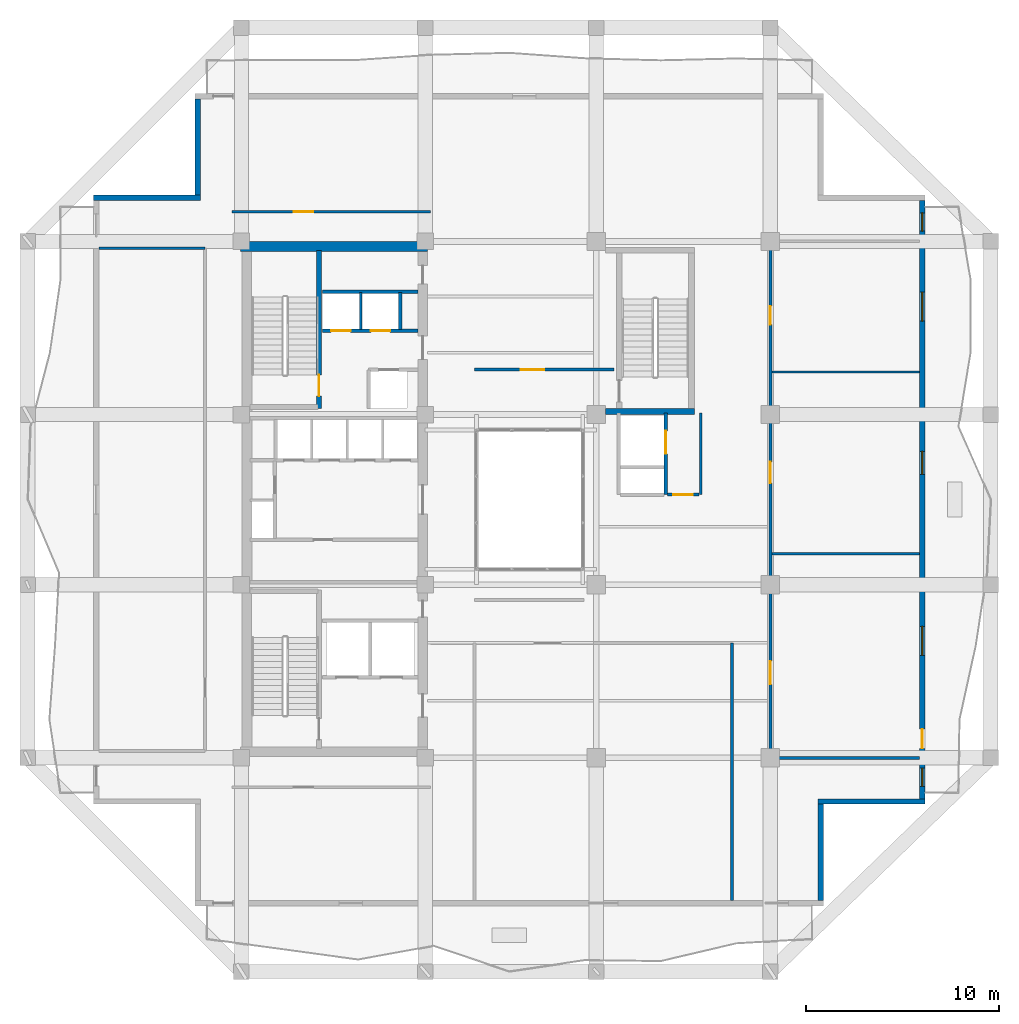
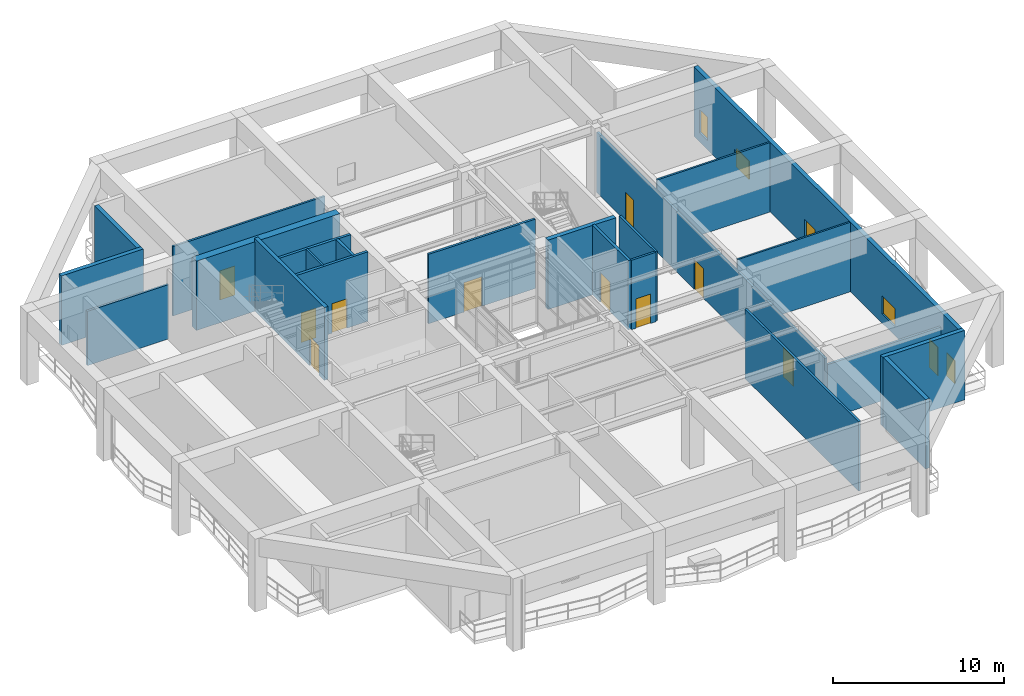
# One storey, part 7 of 13: 23 walls, 11 doors, 5 windows, 16 openings.
"""IFC4 building model written with IfcOpenShell, lengths in metres."""

from ifc_helpers import new_model, si_unit, direction, frame, frame_2d, origin, place, context, subcontext, project, spatial, rectangle, extrude, material, layer, layer_set, type_object, element, fill, save


model = new_model("IFC4")

# Units and contexts
model_context = context("Model", 3, precision=1e-05, world=origin(), true_north=direction((0.0, 1.0)))
body_context = subcontext(model_context, "Body", "Model", "MODEL_VIEW")
ifc_project = project(units=[si_unit("LENGTHUNIT", "METRE"), si_unit("AREAUNIT", "SQUARE_METRE"), si_unit("VOLUMEUNIT", "CUBIC_METRE"), si_unit("PLANEANGLEUNIT", "RADIAN"), si_unit("MASSUNIT", "GRAM", prefix="KILO")], contexts=[model_context])

# Site, building, storey
site_placement = place(None, origin())
site = spatial("IfcSite", under=ifc_project, at=site_placement, CompositionType="ELEMENT")
building_placement = place(site_placement, origin())
building = spatial("IfcBuilding", under=site, at=building_placement, Name="Kundavana Baori Tower", CompositionType="ELEMENT")
storey_placement = place(building_placement, frame((0.0, 0.0, 208.89990234375)))
storey = spatial("IfcBuildingStorey", under=building, at=storey_placement, Name="L51", CompositionType="ELEMENT", Elevation=208.89990234375)

# Wall, opening, door
ifc_material_1 = material(Name="Concrete C50/60", Category="concrete")
ifc_layer_1 = layer(ifc_material_1, 0.39990234375, Name="WL-CORE-400")
ifc_layer_set_1 = layer_set([ifc_layer_1], Name="Concrete C50/60")
wall_type_1 = type_object("IfcWallType", Name="WL-CORE-400", PredefinedType="SHEAR", material=ifc_layer_set_1)
wall_1_placement = place(storey_placement, frame((19.4599609375, 33.300048828125, 0.0), z_axis=(0.0, 0.0, 1.0), x_axis=(0.0, 1.0, 0.0)))
wall_1 = element("IfcWall", 1, at=wall_1_placement, inside=storey, type_object=wall_type_1, Name="WL-L51-ST2-E", PredefinedType="SHEAR", context=body_context, shape_type="SweptSolid", body=[
    extrude(rectangle(XDim=8.179931640625, YDim=0.239990234375, at=frame_2d((4.08984375, 0.0))), origin(), (0.0, 0.0, 1.0), 5.2001953125),
])
opening_1_placement = place(wall_1_placement, frame((0.64990234375, 0.0, 0.0)))
opening_1 = element("IfcOpeningElement", 2, at=opening_1_placement, cuts=wall_1, Name="Opening FD-110", PredefinedType="OPENING", context=body_context, shape_type="SweptSolid", body=[
    extrude(rectangle(XDim=1.10009765625, YDim=2.10009765625, at=frame_2d((0.550048828125, 1.050048828125))), frame((0.0, 0.1298828125, 0.0), z_axis=(0.0, -1.0, 0.0), x_axis=(1.0, 0.0, 0.0)), (0.0, 0.0, 1.0), 0.260009765625),
])
ifc_material_2 = material(Name="Galvanised Steel Fire-Rated Door Leaf", Category="steel")
door_type_1 = type_object("IfcDoorType", Name="DR-FD120-1100", OperationType="NOTDEFINED", PredefinedType="DOOR", material=ifc_material_2)
door_1_placement = place(opening_1_placement, origin())
door_1 = element("IfcDoor", 3, at=door_1_placement, inside=storey, type_object=door_type_1, Name="DR-L51-ST2", OperationType="SINGLE_SWING_RIGHT", OverallHeight=2.10009765625, OverallWidth=1.10009765625, PredefinedType="DOOR", context=body_context, shape_type="SweptSolid", body=[
    extrude(rectangle(XDim=1.10009765625, YDim=2.10009765625, at=frame_2d((0.550048828125, 1.050048828125))), frame((0.0, 0.02490234375, 0.0), z_axis=(0.0, -1.0, 0.0), x_axis=(1.0, 0.0, 0.0)), (0.0, 0.0, 1.0), 0.050048828125),
])
fill(opening_1, door_1)

# Walls
ifc_material_3 = material(Name="Concrete C50/60", Category="concrete")
ifc_layer_2 = layer(ifc_material_3, 0.5, Name="WL-CORE-500")
ifc_layer_set_2 = layer_set([ifc_layer_2], Name="Concrete C50/60")
wall_type_2 = type_object("IfcWallType", Name="WL-CORE-500", PredefinedType="SHEAR", material=ifc_layer_set_2)
wall_2_placement = place(storey_placement, frame((15.39990234375, 41.68994140625, 0.0), z_axis=(0.0, 0.0, 1.0), x_axis=(1.0, 0.0, 0.0)))
element("IfcWall", 4, at=wall_2_placement, inside=storey, type_object=wall_type_2, Name="L51 Offset Core North Shear Wall", PredefinedType="SHEAR", context=body_context, shape_type="SweptSolid", body=[
    extrude(rectangle(XDim=9.68017578125, YDim=0.5, at=frame_2d((4.840087890625, 0.0))), origin(), (0.0, 0.0, 1.0), 4.960205078125),
])
ifc_material_4 = material(Name="Red-Buff Dholpur Sandstone Cladding on Concrete C40/50", Category="masonry")
ifc_layer_3 = layer(ifc_material_4, 0.280029296875, Name="WL-EXT-SAND-280")
ifc_layer_set_3 = layer_set([ifc_layer_3], Name="Red-Buff Dholpur Sandstone Cladding on Concrete C40/50")
wall_type_3 = type_object("IfcWallType", Name="WL-EXT-SAND-280", PredefinedType="STANDARD", material=ifc_layer_set_3)
wall_3_placement = place(storey_placement, frame((45.409912109375, 7.8798828125, 0.0), z_axis=(0.0, 0.0, 1.0), x_axis=(0.0, 1.0, 0.0)))
element("IfcWall", 5, at=wall_3_placement, inside=storey, type_object=wall_type_3, Name="L51 Exterior Insulated Facade Wall 02", PredefinedType="STANDARD", context=body_context, shape_type="SweptSolid", body=[
    extrude(rectangle(XDim=4.97021484375, YDim=0.280029296875, at=frame_2d((2.485107421875, 0.0))), origin(), (0.0, 0.0, 1.0), 4.960205078125),
])
wall_4_placement = place(storey_placement, frame((45.27001953125, 12.989990234375, 0.0), z_axis=(0.0, 0.0, 1.0), x_axis=(1.0, 0.0, 0.0)))
element("IfcWall", 6, at=wall_4_placement, inside=storey, type_object=wall_type_3, Name="L51 Exterior Insulated Facade Wall 03", PredefinedType="STANDARD", context=body_context, shape_type="SweptSolid", body=[
    extrude(rectangle(XDim=5.530029296875, YDim=0.280029296875, at=frame_2d((2.76513671875, 0.0))), origin(), (0.0, 0.0, 1.0), 4.960205078125),
])

# Wall, openings, door, windows
wall_5_placement = place(storey_placement, frame((50.659912109375, 13.1298828125, 0.0), z_axis=(0.0, 0.0, 1.0), x_axis=(0.0, 1.0, 0.0)))
wall_5 = element("IfcWall", 7, at=wall_5_placement, inside=storey, type_object=wall_type_3, Name="L51 Exterior Insulated Facade Wall 04", PredefinedType="STANDARD", context=body_context, shape_type="SweptSolid", body=[
    extrude(rectangle(XDim=30.940185546875, YDim=0.280029296875, at=frame_2d((15.47021484375, 0.0))), origin(), (0.0, 0.0, 1.0), 4.960205078125),
])
opening_2_placement = place(wall_5_placement, frame((0.639892578125, 0.0, 0.64990234375)))
opening_2 = element("IfcOpeningElement", 8, at=opening_2_placement, cuts=wall_5, Name="Opening W-13", PredefinedType="OPENING", context=body_context, shape_type="SweptSolid", body=[
    extrude(rectangle(XDim=0.949951171875, YDim=1.64990234375, at=frame_2d((0.47509765625, 0.824951171875))), frame((0.0, 0.14990234375, 0.0), z_axis=(0.0, -1.0, 0.0), x_axis=(1.0, 0.0, 0.0)), (0.0, 0.0, 1.0), 0.300048828125),
])
opening_3_placement = place(wall_5_placement, frame((2.610107421875, 0.0, 0.0)))
opening_3 = element("IfcOpeningElement", 9, at=opening_3_placement, cuts=wall_5, Name="Opening BD-1", PredefinedType="OPENING", context=body_context, shape_type="SweptSolid", body=[
    extrude(rectangle(XDim=1.0, YDim=2.050048828125, at=frame_2d((0.5, 1.02490234375))), frame((0.0, 0.14990234375, 0.0), z_axis=(0.0, -1.0, 0.0), x_axis=(1.0, 0.0, 0.0)), (0.0, 0.0, 1.0), 0.300048828125),
])
opening_4_placement = place(wall_5_placement, frame((7.419921875, 0.0, 0.64990234375)))
opening_4 = element("IfcOpeningElement", 10, at=opening_4_placement, cuts=wall_5, Name="Opening W-11", PredefinedType="OPENING", context=body_context, shape_type="SweptSolid", body=[
    extrude(rectangle(XDim=1.5, YDim=1.300048828125, at=frame_2d((0.75, 0.64990234375))), frame((0.0, 0.14990234375, 0.0), z_axis=(0.0, -1.0, 0.0), x_axis=(1.0, 0.0, 0.0)), (0.0, 0.0, 1.0), 0.300048828125),
])
opening_5_placement = place(wall_5_placement, frame((16.77001953125, 0.0, 0.64990234375)))
opening_5 = element("IfcOpeningElement", 11, at=opening_5_placement, cuts=wall_5, Name="Opening W-12", PredefinedType="OPENING", context=body_context, shape_type="SweptSolid", body=[
    extrude(rectangle(XDim=1.199951171875, YDim=1.25, at=frame_2d((0.60009765625, 0.625))), frame((0.0, 0.14990234375, 0.0), z_axis=(0.0, -1.0, 0.0), x_axis=(1.0, 0.0, 0.0)), (0.0, 0.0, 1.0), 0.300048828125),
])
opening_6_placement = place(wall_5_placement, frame((24.695068359375, 0.0, 0.64990234375)))
opening_6 = element("IfcOpeningElement", 12, at=opening_6_placement, cuts=wall_5, Name="Opening W-11", PredefinedType="OPENING", context=body_context, shape_type="SweptSolid", body=[
    extrude(rectangle(XDim=1.5, YDim=1.300048828125, at=frame_2d((0.75, 0.64990234375))), frame((0.0, 0.14990234375, 0.0), z_axis=(0.0, -1.0, 0.0), x_axis=(1.0, 0.0, 0.0)), (0.0, 0.0, 1.0), 0.300048828125),
])
opening_7_placement = place(wall_5_placement, frame((29.35009765625, 0.0, 0.64990234375)))
opening_7 = element("IfcOpeningElement", 13, at=opening_7_placement, cuts=wall_5, Name="Opening W-13", PredefinedType="OPENING", context=body_context, shape_type="SweptSolid", body=[
    extrude(rectangle(XDim=0.949951171875, YDim=1.64990234375, at=frame_2d((0.47509765625, 0.824951171875))), frame((0.0, 0.14990234375, 0.0), z_axis=(0.0, -1.0, 0.0), x_axis=(1.0, 0.0, 0.0)), (0.0, 0.0, 1.0), 0.300048828125),
])
ifc_material_5 = material(Name="Architectural Patinated Bronze Metalwork")
door_type_2 = type_object("IfcDoorType", Name="DR-EXT-LOG-1000", OperationType="NOTDEFINED", PredefinedType="DOOR", material=ifc_material_5)
door_2_placement = place(opening_3_placement, frame((1.0, 0.0, 0.0), z_axis=(0.0, 0.0, 1.0), x_axis=(-1.0, 0.0, 0.0)))
door_2 = element("IfcDoor", 14, at=door_2_placement, inside=storey, type_object=door_type_2, Name="L51 Loggia Balcony Access Door E", OperationType="SINGLE_SWING_LEFT", OverallHeight=2.050048828125, OverallWidth=1.0, PredefinedType="DOOR", context=body_context, shape_type="SweptSolid", body=[
    extrude(rectangle(XDim=1.0, YDim=2.050048828125, at=frame_2d((0.5, 1.02490234375))), frame((0.0, 0.02490234375, 0.0), z_axis=(0.0, -1.0, 0.0), x_axis=(1.0, 0.0, 0.0)), (0.0, 0.0, 1.0), 0.050048828125),
])
fill(opening_3, door_2)
ifc_material_6 = material(Name="Double-Glazed Solar-Control Low-E Insulated Glass", Category="glass")
window_type_1 = type_object("IfcWindowType", Name="WIN-LOG-950x1650", PartitioningType="SINGLE_PANEL", PredefinedType="WINDOW", material=ifc_material_6)
window_1_placement = place(opening_2_placement, origin())
window_1 = element("IfcWindow", 15, at=window_1_placement, inside=storey, type_object=window_type_1, Name="L51 Recessed Loggia Window E-1", OverallHeight=1.64990234375, OverallWidth=0.949951171875, PartitioningType="SINGLE_PANEL", PredefinedType="WINDOW", context=body_context, shape_type="SweptSolid", body=[
    extrude(rectangle(XDim=0.949951171875, YDim=1.64990234375, at=frame_2d((0.47509765625, 0.824951171875))), frame((0.0, 0.030029296875, 0.0), z_axis=(0.0, -1.0, 0.0), x_axis=(1.0, 0.0, 0.0)), (0.0, 0.0, 1.0), 0.06005859375),
])
fill(opening_2, window_1)
window_2_placement = place(opening_7_placement, origin())
window_2 = element("IfcWindow", 16, at=window_2_placement, inside=storey, type_object=window_type_1, Name="L51 Recessed Loggia Window E-5", OverallHeight=1.64990234375, OverallWidth=0.949951171875, PartitioningType="SINGLE_PANEL", PredefinedType="WINDOW", context=body_context, shape_type="SweptSolid", body=[
    extrude(rectangle(XDim=0.949951171875, YDim=1.64990234375, at=frame_2d((0.47509765625, 0.824951171875))), frame((0.0, 0.030029296875, 0.0), z_axis=(0.0, -1.0, 0.0), x_axis=(1.0, 0.0, 0.0)), (0.0, 0.0, 1.0), 0.06005859375),
])
fill(opening_7, window_2)
ifc_material_7 = material(Name="Double-Glazed Solar-Control Low-E Insulated Glass", Category="glass")
window_type_2 = type_object("IfcWindowType", Name="WIN-TRN-1200x1250", PartitioningType="SINGLE_PANEL", PredefinedType="WINDOW", material=ifc_material_7)
window_3_placement = place(opening_5_placement, origin())
window_3 = element("IfcWindow", 17, at=window_3_placement, inside=storey, type_object=window_type_2, Name="L51 Recessed Loggia Window E-3", OverallHeight=1.25, OverallWidth=1.199951171875, PartitioningType="SINGLE_PANEL", PredefinedType="WINDOW", context=body_context, shape_type="SweptSolid", body=[
    extrude(rectangle(XDim=1.199951171875, YDim=1.25, at=frame_2d((0.60009765625, 0.625))), frame((0.0, 0.030029296875, 0.0), z_axis=(0.0, -1.0, 0.0), x_axis=(1.0, 0.0, 0.0)), (0.0, 0.0, 1.0), 0.06005859375),
])
fill(opening_5, window_3)
ifc_material_8 = material(Name="Double-Glazed Solar-Control Low-E Insulated Glass", Category="glass")
window_type_3 = type_object("IfcWindowType", Name="WIN-TRN-1500x1300", PartitioningType="SINGLE_PANEL", PredefinedType="WINDOW", material=ifc_material_8)
window_4_placement = place(opening_4_placement, origin())
window_4 = element("IfcWindow", 18, at=window_4_placement, inside=storey, type_object=window_type_3, Name="L51 Recessed Loggia Window E-2", OverallHeight=1.300048828125, OverallWidth=1.5, PartitioningType="SINGLE_PANEL", PredefinedType="WINDOW", context=body_context, shape_type="SweptSolid", body=[
    extrude(rectangle(XDim=1.5, YDim=1.300048828125, at=frame_2d((0.75, 0.64990234375))), frame((0.0, 0.030029296875, 0.0), z_axis=(0.0, -1.0, 0.0), x_axis=(1.0, 0.0, 0.0)), (0.0, 0.0, 1.0), 0.06005859375),
])
fill(opening_4, window_4)
window_5_placement = place(opening_6_placement, origin())
window_5 = element("IfcWindow", 19, at=window_5_placement, inside=storey, type_object=window_type_3, Name="L51 Recessed Loggia Window E-4", OverallHeight=1.300048828125, OverallWidth=1.5, PartitioningType="SINGLE_PANEL", PredefinedType="WINDOW", context=body_context, shape_type="SweptSolid", body=[
    extrude(rectangle(XDim=1.5, YDim=1.300048828125, at=frame_2d((0.75, 0.64990234375))), frame((0.0, 0.030029296875, 0.0), z_axis=(0.0, -1.0, 0.0), x_axis=(1.0, 0.0, 0.0)), (0.0, 0.0, 1.0), 0.06005859375),
])
fill(opening_6, window_5)

# Walls
wall_6_placement = place(storey_placement, frame((13.18994140625, 49.320068359375, 0.0), z_axis=(0.0, 0.0, 1.0), x_axis=(0.0, -1.0, 0.0)))
element("IfcWall", 20, at=wall_6_placement, inside=storey, type_object=wall_type_3, Name="L51 Exterior Insulated Facade Wall 08", PredefinedType="STANDARD", context=body_context, shape_type="SweptSolid", body=[
    extrude(rectangle(XDim=4.969970703125, YDim=0.280029296875, at=frame_2d((2.48486328125, 0.0))), origin(), (0.0, 0.0, 1.0), 4.960205078125),
])
wall_7_placement = place(storey_placement, frame((13.330078125, 44.2099609375, 0.0), z_axis=(0.0, 0.0, 1.0), x_axis=(-1.0, 0.0, 0.0)))
element("IfcWall", 21, at=wall_7_placement, inside=storey, type_object=wall_type_3, Name="L51 Exterior Insulated Facade Wall 09", PredefinedType="STANDARD", context=body_context, shape_type="SweptSolid", body=[
    extrude(rectangle(XDim=5.530029296875, YDim=0.280029296875, at=frame_2d((2.76513671875, 0.0))), origin(), (0.0, 0.0, 1.0), 4.960205078125),
])
ifc_material_9 = material(Name="Acoustic Gypsum Plasterboard on Galvanised Steel Studs", Category="steel")
ifc_layer_4 = layer(ifc_material_9, 0.1201171875, Name="WL-PART-120")
ifc_layer_set_4 = layer_set([ifc_layer_4], Name="Acoustic Gypsum Plasterboard on Galvanised Steel Studs")
wall_type_4 = type_object("IfcWallType", Name="WL-PART-120", PredefinedType="PARTITIONING", material=ifc_layer_set_4)
wall_8_placement = place(storey_placement, frame((21.6201171875, 37.39990234375, 0.0), z_axis=(0.0, 0.0, 1.0), x_axis=(0.0, 1.0, 0.0)))
element("IfcWall", 22, at=wall_8_placement, inside=storey, type_object=wall_type_4, Name="WL-L51-HR-DIV1", PredefinedType="PARTITIONING", context=body_context, shape_type="SweptSolid", body=[
    extrude(rectangle(XDim=1.900146484375, YDim=0.1201171875, at=frame_2d((0.9501953125, 0.0))), origin(), (0.0, 0.0, 1.0), 4.960205078125),
])
wall_9_placement = place(storey_placement, frame((42.8798828125, 25.800048828125, 0.0), z_axis=(0.0, 0.0, 1.0), x_axis=(1.0, 0.0, 0.0)))
element("IfcWall", 23, at=wall_9_placement, inside=storey, type_object=wall_type_4, Name="WL-L51-D1", PredefinedType="PARTITIONING", context=body_context, shape_type="SweptSolid", body=[
    extrude(rectangle(XDim=7.64013671875, YDim=0.1201171875, at=frame_2d((3.820068359375, 0.0))), origin(), (0.0, 0.0, 1.0), 4.960205078125),
])

# Wall, opening, door
ifc_material_10 = material(Name="Acoustic Gypsum Plasterboard on Galvanised Steel Studs", Category="steel")
ifc_layer_5 = layer(ifc_material_10, 0.135009765625, Name="WL-PART-135")
ifc_layer_set_5 = layer_set([ifc_layer_5], Name="Acoustic Gypsum Plasterboard on Galvanised Steel Studs")
wall_type_5 = type_object("IfcWallType", Name="WL-PART-135", PredefinedType="PARTITIONING", material=ifc_layer_set_5)
wall_10_placement = place(storey_placement, frame((14.949951171875, 43.47998046875, 0.0), z_axis=(0.0, 0.0, 1.0), x_axis=(1.0, 0.0, 0.0)))
wall_10 = element("IfcWall", 24, at=wall_10_placement, inside=storey, type_object=wall_type_5, Name="WL-L51-NC", PredefinedType="PARTITIONING", context=body_context, shape_type="SweptSolid", body=[
    extrude(rectangle(XDim=10.27001953125, YDim=0.135009765625, at=frame_2d((5.135009765625, 0.0))), origin(), (0.0, 0.0, 1.0), 4.960205078125),
])
opening_8_placement = place(wall_10_placement, frame((3.199951171875, 0.0, 0.0)))
opening_8 = element("IfcOpeningElement", 25, at=opening_8_placement, cuts=wall_10, Name="Opening ID-100", PredefinedType="OPENING", context=body_context, shape_type="SweptSolid", body=[
    extrude(rectangle(XDim=1.0, YDim=2.080078125, at=frame_2d((0.5, 1.0400390625))), frame((0.0, 0.07763671875, 0.0), z_axis=(0.0, -1.0, 0.0), x_axis=(1.0, 0.0, 0.0)), (0.0, 0.0, 1.0), 0.155029296875),
])
ifc_material_11 = material(Name="Engineered Teak Solid-Core Timber Veneer", Category="wood")
door_type_3 = type_object("IfcDoorType", Name="DR-INT-1000", OperationType="NOTDEFINED", PredefinedType="DOOR", material=ifc_material_11)
door_3_placement = place(opening_8_placement, origin())
door_3 = element("IfcDoor", 26, at=door_3_placement, inside=storey, type_object=door_type_3, Name="DR-L51-OBNW", OperationType="SINGLE_SWING_RIGHT", OverallHeight=2.080078125, OverallWidth=1.0, PredefinedType="DOOR", context=body_context, shape_type="SweptSolid", body=[
    extrude(rectangle(XDim=1.0, YDim=2.080078125, at=frame_2d((0.5, 1.0400390625))), frame((0.0, 0.02490234375, 0.0), z_axis=(0.0, -1.0, 0.0), x_axis=(1.0, 0.0, 0.0)), (0.0, 0.0, 1.0), 0.050048828125),
])
fill(opening_8, door_3)

# Wall
ifc_material_12 = material(Name="Fire-Rated Gypsum Drywall on Galvanised Steel Studs", Category="steel")
ifc_layer_6 = layer(ifc_material_12, 0.14990234375, Name="WL-PART-150")
ifc_layer_set_6 = layer_set([ifc_layer_6], Name="Fire-Rated Gypsum Drywall on Galvanised Steel Studs")
wall_type_6 = type_object("IfcWallType", Name="WL-PART-150", PredefinedType="PARTITIONING", material=ifc_layer_set_6)
wall_11_placement = place(storey_placement, frame((39.199951171875, 28.860107421875, 0.0), z_axis=(0.0, 0.0, 1.0), x_axis=(0.0, 1.0, 0.0)))
element("IfcWall", 27, at=wall_11_placement, inside=storey, type_object=wall_type_6, Name="WL-L51-SVLOB-E", PredefinedType="PARTITIONING", context=body_context, shape_type="SweptSolid", body=[
    extrude(rectangle(XDim=4.219970703125, YDim=0.14990234375, at=frame_2d((2.10986328125, 0.0))), origin(), (0.0, 0.0, 1.0), 4.960205078125),
])

# Wall, opening, door
wall_12_placement = place(storey_placement, frame((37.47998046875, 28.860107421875, 0.0), z_axis=(0.0, 0.0, 1.0), x_axis=(1.0, 0.0, 0.0)))
wall_12 = element("IfcWall", 28, at=wall_12_placement, inside=storey, type_object=wall_type_6, Name="WL-L51-SVLOB-S", PredefinedType="PARTITIONING", context=body_context, shape_type="SweptSolid", body=[
    extrude(rectangle(XDim=1.64013671875, YDim=0.14990234375, at=frame_2d((0.820068359375, 0.0))), origin(), (0.0, 0.0, 1.0), 4.960205078125),
])
opening_9_placement = place(wall_12_placement, frame((0.300048828125, 0.0, 0.0)))
opening_9 = element("IfcOpeningElement", 29, at=opening_9_placement, cuts=wall_12, Name="Opening FD-100", PredefinedType="OPENING", context=body_context, shape_type="SweptSolid", body=[
    extrude(rectangle(XDim=1.0, YDim=2.10009765625, at=frame_2d((0.5, 1.050048828125))), frame((0.0, 0.0849609375, 0.0), z_axis=(0.0, -1.0, 0.0), x_axis=(1.0, 0.0, 0.0)), (0.0, 0.0, 1.0), 0.169921875),
])
ifc_material_13 = material(Name="Engineered Teak Fire-Rated Timber Door Leaf", Category="wood")
door_type_4 = type_object("IfcDoorType", Name="DR-FD60-1000", OperationType="NOTDEFINED", PredefinedType="DOOR", material=ifc_material_13)
door_4_placement = place(opening_9_placement, origin())
door_4 = element("IfcDoor", 30, at=door_4_placement, inside=storey, type_object=door_type_4, Name="DR-L51-SVLOB-OUT", OperationType="SINGLE_SWING_LEFT", OverallHeight=2.10009765625, OverallWidth=1.0, PredefinedType="DOOR", context=body_context, shape_type="SweptSolid", body=[
    extrude(rectangle(XDim=1.0, YDim=2.10009765625, at=frame_2d((0.5, 1.050048828125))), frame((0.0, 0.02490234375, 0.0), z_axis=(0.0, -1.0, 0.0), x_axis=(1.0, 0.0, 0.0)), (0.0, 0.0, 1.0), 0.050048828125),
])
fill(opening_9, door_4)

# Wall
wall_13_placement = place(storey_placement, frame((8.080078125, 41.60009765625, 0.0), z_axis=(0.0, 0.0, 1.0), x_axis=(1.0, 0.0, 0.0)))
element("IfcWall", 31, at=wall_13_placement, inside=storey, type_object=wall_type_6, Name="WL-L51-SLWN", PredefinedType="PARTITIONING", context=body_context, shape_type="SweptSolid", body=[
    extrude(rectangle(XDim=5.489990234375, YDim=0.14990234375, at=frame_2d((2.7451171875, 0.0))), origin(), (0.0, 0.0, 1.0), 3.880126953125),
])

# Wall, opening, door
wall_14_placement = place(storey_placement, frame((27.5, 35.320068359375, 0.0), z_axis=(0.0, 0.0, 1.0), x_axis=(1.0, 0.0, 0.0)))
wall_14 = element("IfcWall", 32, at=wall_14_placement, inside=storey, type_object=wall_type_6, Name="WL-L51-SLN", PredefinedType="PARTITIONING", context=body_context, shape_type="SweptSolid", body=[
    extrude(rectangle(XDim=7.219970703125, YDim=0.14990234375, at=frame_2d((3.60986328125, 0.0))), origin(), (0.0, 0.0, 1.0), 4.960205078125),
])
opening_10_placement = place(wall_14_placement, frame((2.39990234375, 0.0, 0.0)))
opening_10 = element("IfcOpeningElement", 33, at=opening_10_placement, cuts=wall_14, Name="Opening ID-120", PredefinedType="OPENING", context=body_context, shape_type="SweptSolid", body=[
    extrude(rectangle(XDim=1.199951171875, YDim=2.10009765625, at=frame_2d((0.60009765625, 1.050048828125))), frame((0.0, 0.0849609375, 0.0), z_axis=(0.0, -1.0, 0.0), x_axis=(1.0, 0.0, 0.0)), (0.0, 0.0, 1.0), 0.169921875),
])
ifc_material_14 = material(Name="Engineered Teak Solid-Core Timber Veneer", Category="wood")
door_type_5 = type_object("IfcDoorType", Name="DR-INT-1200", OperationType="NOTDEFINED", PredefinedType="DOOR", material=ifc_material_14)
door_5_placement = place(opening_10_placement, origin())
door_5 = element("IfcDoor", 34, at=door_5_placement, inside=storey, type_object=door_type_5, Name="DR-L51-SPA", OperationType="SINGLE_SWING_RIGHT", OverallHeight=2.10009765625, OverallWidth=1.199951171875, PredefinedType="DOOR", context=body_context, shape_type="SweptSolid", body=[
    extrude(rectangle(XDim=1.199951171875, YDim=2.10009765625, at=frame_2d((0.60009765625, 1.050048828125))), frame((0.0, 0.02490234375, 0.0), z_axis=(0.0, -1.0, 0.0), x_axis=(1.0, 0.0, 0.0)), (0.0, 0.0, 1.0), 0.050048828125),
])
fill(opening_10, door_5)

# Wall, openings, doors
wall_15_placement = place(storey_placement, frame((42.800048828125, 15.25, 0.0), z_axis=(0.0, 0.0, 1.0), x_axis=(0.0, 1.0, 0.0)))
wall_15 = element("IfcWall", 35, at=wall_15_placement, inside=storey, type_object=wall_type_6, Name="WL-L51-SLE", PredefinedType="PARTITIONING", context=body_context, shape_type="SweptSolid", body=[
    extrude(rectangle(XDim=26.699951171875, YDim=0.14990234375, at=frame_2d((13.35009765625, 0.0))), origin(), (0.0, 0.0, 1.0), 4.31005859375),
])
opening_11_placement = place(wall_15_placement, frame((3.800048828125, 0.0, 0.0)))
opening_11 = element("IfcOpeningElement", 36, at=opening_11_placement, cuts=wall_15, Name="Opening ID-120", PredefinedType="OPENING", context=body_context, shape_type="SweptSolid", body=[
    extrude(rectangle(XDim=1.199951171875, YDim=2.10009765625, at=frame_2d((0.60009765625, 1.050048828125))), frame((0.0, 0.0849609375, 0.0), z_axis=(0.0, -1.0, 0.0), x_axis=(1.0, 0.0, 0.0)), (0.0, 0.0, 1.0), 0.169921875),
])
opening_12_placement = place(wall_15_placement, frame((14.199951171875, 0.0, 0.0)))
opening_12 = element("IfcOpeningElement", 37, at=opening_12_placement, cuts=wall_15, Name="Opening FD-112", PredefinedType="OPENING", context=body_context, shape_type="SweptSolid", body=[
    extrude(rectangle(XDim=1.10009765625, YDim=2.1201171875, at=frame_2d((0.550048828125, 1.06005859375))), frame((0.0, 0.0849609375, 0.0), z_axis=(0.0, -1.0, 0.0), x_axis=(1.0, 0.0, 0.0)), (0.0, 0.0, 1.0), 0.169921875),
])
opening_13_placement = place(wall_15_placement, frame((22.39990234375, 0.0, 0.0)))
opening_13 = element("IfcOpeningElement", 38, at=opening_13_placement, cuts=wall_15, Name="Opening WD-095", PredefinedType="OPENING", context=body_context, shape_type="SweptSolid", body=[
    extrude(rectangle(XDim=0.949951171875, YDim=2.050048828125, at=frame_2d((0.47509765625, 1.02490234375))), frame((0.0, 0.0849609375, 0.0), z_axis=(0.0, -1.0, 0.0), x_axis=(1.0, 0.0, 0.0)), (0.0, 0.0, 1.0), 0.169921875),
])
ifc_material_15 = material(Name="Engineered Teak Fire-Rated Timber Door Leaf", Category="wood")
door_type_6 = type_object("IfcDoorType", Name="DR-FD60-1100", OperationType="NOTDEFINED", PredefinedType="DOOR", material=ifc_material_15)
door_6_placement = place(opening_12_placement, origin())
door_6 = element("IfcDoor", 39, at=door_6_placement, inside=storey, type_object=door_type_6, Name="DR-L51-KIT", OperationType="SINGLE_SWING_RIGHT", OverallHeight=2.1201171875, OverallWidth=1.10009765625, PredefinedType="DOOR", context=body_context, shape_type="SweptSolid", body=[
    extrude(rectangle(XDim=1.10009765625, YDim=2.1201171875, at=frame_2d((0.550048828125, 1.06005859375))), frame((0.0, 0.02490234375, 0.0), z_axis=(0.0, -1.0, 0.0), x_axis=(1.0, 0.0, 0.0)), (0.0, 0.0, 1.0), 0.050048828125),
])
fill(opening_12, door_6)
door_7_placement = place(opening_11_placement, origin())
door_7 = element("IfcDoor", 40, at=door_7_placement, inside=storey, type_object=door_type_5, Name="DR-L51-BAR", OperationType="SINGLE_SWING_LEFT", OverallHeight=2.10009765625, OverallWidth=1.199951171875, PredefinedType="DOOR", context=body_context, shape_type="SweptSolid", body=[
    extrude(rectangle(XDim=1.199951171875, YDim=2.10009765625, at=frame_2d((0.60009765625, 1.050048828125))), frame((0.0, 0.02490234375, 0.0), z_axis=(0.0, -1.0, 0.0), x_axis=(1.0, 0.0, 0.0)), (0.0, 0.0, 1.0), 0.050048828125),
])
fill(opening_11, door_7)
ifc_material_16 = material(Name="Engineered Teak Solid-Core Timber Veneer", Category="wood")
door_type_7 = type_object("IfcDoorType", Name="DR-WET-950", OperationType="NOTDEFINED", PredefinedType="DOOR", material=ifc_material_16)
door_8_placement = place(opening_13_placement, origin())
door_8 = element("IfcDoor", 41, at=door_8_placement, inside=storey, type_object=door_type_7, Name="DR-L51-WC", OperationType="SINGLE_SWING_LEFT", OverallHeight=2.050048828125, OverallWidth=0.949951171875, PredefinedType="DOOR", context=body_context, shape_type="SweptSolid", body=[
    extrude(rectangle(XDim=0.949951171875, YDim=2.050048828125, at=frame_2d((0.47509765625, 1.02490234375))), frame((0.0, 0.02490234375, 0.0), z_axis=(0.0, -1.0, 0.0), x_axis=(1.0, 0.0, 0.0)), (0.0, 0.0, 1.0), 0.050048828125),
])
fill(opening_13, door_8)

# Walls
wall_16_placement = place(storey_placement, frame((42.8798828125, 15.25, 0.0), z_axis=(0.0, 0.0, 1.0), x_axis=(1.0, 0.0, 0.0)))
element("IfcWall", 42, at=wall_16_placement, inside=storey, type_object=wall_type_6, Name="WL-L51-SLES", PredefinedType="PARTITIONING", context=body_context, shape_type="SweptSolid", body=[
    extrude(rectangle(XDim=7.64013671875, YDim=0.14990234375, at=frame_2d((3.820068359375, 0.0))), origin(), (0.0, 0.0, 1.0), 3.880126953125),
])
wall_17_placement = place(storey_placement, frame((40.820068359375, 7.8798828125, 0.0), z_axis=(0.0, 0.0, 1.0), x_axis=(0.0, 1.0, 0.0)))
element("IfcWall", 43, at=wall_17_placement, inside=storey, type_object=wall_type_6, Name="WL-L51-DINE", PredefinedType="PARTITIONING", context=body_context, shape_type="SweptSolid", body=[
    extrude(rectangle(XDim=13.300048828125, YDim=0.14990234375, at=frame_2d((6.64990234375, 0.0))), origin(), (0.0, 0.0, 1.0), 4.960205078125),
])

# Wall, openings, doors
ifc_material_17 = material(Name="Autoclaved Aerated Concrete Blockwork Masonry", Category="masonry")
ifc_layer_7 = layer(ifc_material_17, 0.179931640625, Name="WL-SHAFT-180")
ifc_layer_set_7 = layer_set([ifc_layer_7], Name="Autoclaved Aerated Concrete Blockwork Masonry")
wall_type_7 = type_object("IfcWallType", Name="WL-SHAFT-180", PredefinedType="SOLIDWALL", material=ifc_layer_set_7)
wall_18_placement = place(storey_placement, frame((19.639892578125, 37.340087890625, 0.0), z_axis=(0.0, 0.0, 1.0), x_axis=(1.0, 0.0, 0.0)))
wall_18 = element("IfcWall", 44, at=wall_18_placement, inside=storey, type_object=wall_type_7, Name="WL-L51-HRLOB-N", PredefinedType="SOLIDWALL", context=body_context, shape_type="SweptSolid", body=[
    extrude(rectangle(XDim=4.940185546875, YDim=0.179931640625, at=frame_2d((2.47021484375, 0.0))), origin(), (0.0, 0.0, 1.0), 4.960205078125),
])
opening_14_placement = place(wall_18_placement, frame((0.449951171875, 0.0, 0.0)))
opening_14 = element("IfcOpeningElement", 45, at=opening_14_placement, cuts=wall_18, Name="Opening LD-100", PredefinedType="OPENING", context=body_context, shape_type="SweptSolid", body=[
    extrude(rectangle(XDim=1.0, YDim=2.10009765625, at=frame_2d((0.5, 1.050048828125))), frame((0.0, 0.10009765625, 0.0), z_axis=(0.0, -1.0, 0.0), x_axis=(1.0, 0.0, 0.0)), (0.0, 0.0, 1.0), 0.199951171875),
])
opening_15_placement = place(wall_18_placement, frame((2.5, 0.0, 0.0)))
opening_15 = element("IfcOpeningElement", 46, at=opening_15_placement, cuts=wall_18, Name="Opening LD-100", PredefinedType="OPENING", context=body_context, shape_type="SweptSolid", body=[
    extrude(rectangle(XDim=1.0, YDim=2.10009765625, at=frame_2d((0.5, 1.050048828125))), frame((0.0, 0.10009765625, 0.0), z_axis=(0.0, -1.0, 0.0), x_axis=(1.0, 0.0, 0.0)), (0.0, 0.0, 1.0), 0.199951171875),
])
ifc_material_18 = material(Name="Galvanised Steel Fire-Rated Door Leaf", Category="steel")
door_type_8 = type_object("IfcDoorType", Name="DR-SLIDE-LD1000", OperationType="NOTDEFINED", PredefinedType="DOOR", material=ifc_material_18)
door_9_placement = place(opening_14_placement, frame((1.0, 0.0, 0.0), z_axis=(0.0, 0.0, 1.0), x_axis=(-1.0, 0.0, 0.0)))
door_9 = element("IfcDoor", 47, at=door_9_placement, inside=storey, type_object=door_type_8, Name="DR-L51-LD-LP09", OperationType="DOUBLE_DOOR_SLIDING", OverallHeight=2.10009765625, OverallWidth=1.0, PredefinedType="DOOR", context=body_context, shape_type="SweptSolid", body=[
    extrude(rectangle(XDim=1.0, YDim=2.10009765625, at=frame_2d((0.5, 1.050048828125))), frame((0.0, 0.02490234375, 0.0), z_axis=(0.0, -1.0, 0.0), x_axis=(1.0, 0.0, 0.0)), (0.0, 0.0, 1.0), 0.050048828125),
])
fill(opening_14, door_9)
door_10_placement = place(opening_15_placement, frame((1.0, 0.0, 0.0), z_axis=(0.0, 0.0, 1.0), x_axis=(-1.0, 0.0, 0.0)))
door_10 = element("IfcDoor", 48, at=door_10_placement, inside=storey, type_object=door_type_8, Name="DR-L51-LD-LP10", OperationType="DOUBLE_DOOR_SLIDING", OverallHeight=2.10009765625, OverallWidth=1.0, PredefinedType="DOOR", context=body_context, shape_type="SweptSolid", body=[
    extrude(rectangle(XDim=1.0, YDim=2.10009765625, at=frame_2d((0.5, 1.050048828125))), frame((0.0, 0.02490234375, 0.0), z_axis=(0.0, -1.0, 0.0), x_axis=(1.0, 0.0, 0.0)), (0.0, 0.0, 1.0), 0.050048828125),
])
fill(opening_15, door_10)

# Walls
wall_19_placement = place(storey_placement, frame((19.639892578125, 39.360107421875, 0.0), z_axis=(0.0, 0.0, 1.0), x_axis=(1.0, 0.0, 0.0)))
element("IfcWall", 49, at=wall_19_placement, inside=storey, type_object=wall_type_7, Name="WL-L51-HRLOB-TOP", PredefinedType="SOLIDWALL", context=body_context, shape_type="SweptSolid", body=[
    extrude(rectangle(XDim=4.940185546875, YDim=0.179931640625, at=frame_2d((2.47021484375, 0.0))), origin(), (0.0, 0.0, 1.0), 4.960205078125),
])
wall_20_placement = place(storey_placement, frame((23.659912109375, 37.39990234375, 0.0), z_axis=(0.0, 0.0, 1.0), x_axis=(0.0, 1.0, 0.0)))
element("IfcWall", 50, at=wall_20_placement, inside=storey, type_object=wall_type_7, Name="WL-L51-HR-DIV2", PredefinedType="SOLIDWALL", context=body_context, shape_type="SweptSolid", body=[
    extrude(rectangle(XDim=1.900146484375, YDim=0.179931640625, at=frame_2d((0.9501953125, 0.0))), origin(), (0.0, 0.0, 1.0), 4.960205078125),
])

# Wall, opening, door
wall_21_placement = place(storey_placement, frame((37.389892578125, 28.860107421875, 0.0), z_axis=(0.0, 0.0, 1.0), x_axis=(0.0, 1.0, 0.0)))
wall_21 = element("IfcWall", 51, at=wall_21_placement, inside=storey, type_object=wall_type_7, Name="WL-L51-SVL-E", PredefinedType="SOLIDWALL", context=body_context, shape_type="SweptSolid", body=[
    extrude(rectangle(XDim=4.219970703125, YDim=0.179931640625, at=frame_2d((2.10986328125, 0.0))), origin(), (0.0, 0.0, 1.0), 4.960205078125),
])
opening_16_placement = place(wall_21_placement, frame((2.10009765625, 0.0, 0.0)))
opening_16 = element("IfcOpeningElement", 52, at=opening_16_placement, cuts=wall_21, Name="Opening LD-120", PredefinedType="OPENING", context=body_context, shape_type="SweptSolid", body=[
    extrude(rectangle(XDim=1.199951171875, YDim=2.1201171875, at=frame_2d((0.60009765625, 1.06005859375))), frame((0.0, 0.10009765625, 0.0), z_axis=(0.0, -1.0, 0.0), x_axis=(1.0, 0.0, 0.0)), (0.0, 0.0, 1.0), 0.199951171875),
])
ifc_material_19 = material(Name="Galvanised Steel Fire-Rated Door Leaf", Category="steel")
door_type_9 = type_object("IfcDoorType", Name="DR-SLIDE-LD1200", OperationType="NOTDEFINED", PredefinedType="DOOR", material=ifc_material_19)
door_11_placement = place(opening_16_placement, frame((1.199951171875, 0.0, 0.0), z_axis=(0.0, 0.0, 1.0), x_axis=(-1.0, 0.0, 0.0)))
door_11 = element("IfcDoor", 53, at=door_11_placement, inside=storey, type_object=door_type_9, Name="DR-L51-LD-SVL1", OperationType="DOUBLE_DOOR_SLIDING", OverallHeight=2.1201171875, OverallWidth=1.199951171875, PredefinedType="DOOR", context=body_context, shape_type="SweptSolid", body=[
    extrude(rectangle(XDim=1.199951171875, YDim=2.1201171875, at=frame_2d((0.60009765625, 1.06005859375))), frame((0.0, 0.02490234375, 0.0), z_axis=(0.0, -1.0, 0.0), x_axis=(1.0, 0.0, 0.0)), (0.0, 0.0, 1.0), 0.050048828125),
])
fill(opening_16, door_11)

# Walls
ifc_material_20 = material(Name="Concrete C50/60", Category="concrete")
ifc_layer_8 = layer(ifc_material_20, 0.300048828125, Name="WL-ST3-300")
ifc_layer_set_8 = layer_set([ifc_layer_8], Name="Concrete C50/60")
wall_type_8 = type_object("IfcWallType", Name="WL-ST3-300", PredefinedType="SHEAR", material=ifc_layer_set_8)
wall_22_placement = place(storey_placement, frame((34.27490234375, 33.159912109375, 0.0), z_axis=(0.0, 0.0, 1.0), x_axis=(1.0, 0.0, 0.0)))
element("IfcWall", 54, at=wall_22_placement, inside=storey, type_object=wall_type_8, Name="L51 Stair ST3 South Shear Wall", PredefinedType="SHEAR", context=body_context, shape_type="SweptSolid", body=[
    extrude(rectangle(XDim=4.59521484375, YDim=0.300048828125, at=frame_2d((2.297607421875, 0.0))), origin(), (0.0, 0.0, 1.0), 4.960205078125),
])
ifc_material_21 = material(Name="Autoclaved Aerated Concrete Blockwork Masonry", Category="masonry")
ifc_layer_9 = layer(ifc_material_21, 0.125, Name="WL-WET-120")
ifc_layer_set_9 = layer_set([ifc_layer_9], Name="Autoclaved Aerated Concrete Blockwork Masonry")
wall_type_9 = type_object("IfcWallType", Name="WL-WET-120", PredefinedType="PLUMBINGWALL", material=ifc_layer_set_9)
wall_23_placement = place(storey_placement, frame((42.8798828125, 35.199951171875, 0.0), z_axis=(0.0, 0.0, 1.0), x_axis=(1.0, 0.0, 0.0)))
element("IfcWall", 55, at=wall_23_placement, inside=storey, type_object=wall_type_9, Name="WL-L51-D2", PredefinedType="PLUMBINGWALL", context=body_context, shape_type="SweptSolid", body=[
    extrude(rectangle(XDim=7.64013671875, YDim=0.125, at=frame_2d((3.820068359375, 0.0))), origin(), (0.0, 0.0, 1.0), 4.960205078125),
])

save(model, "model.ifc")
